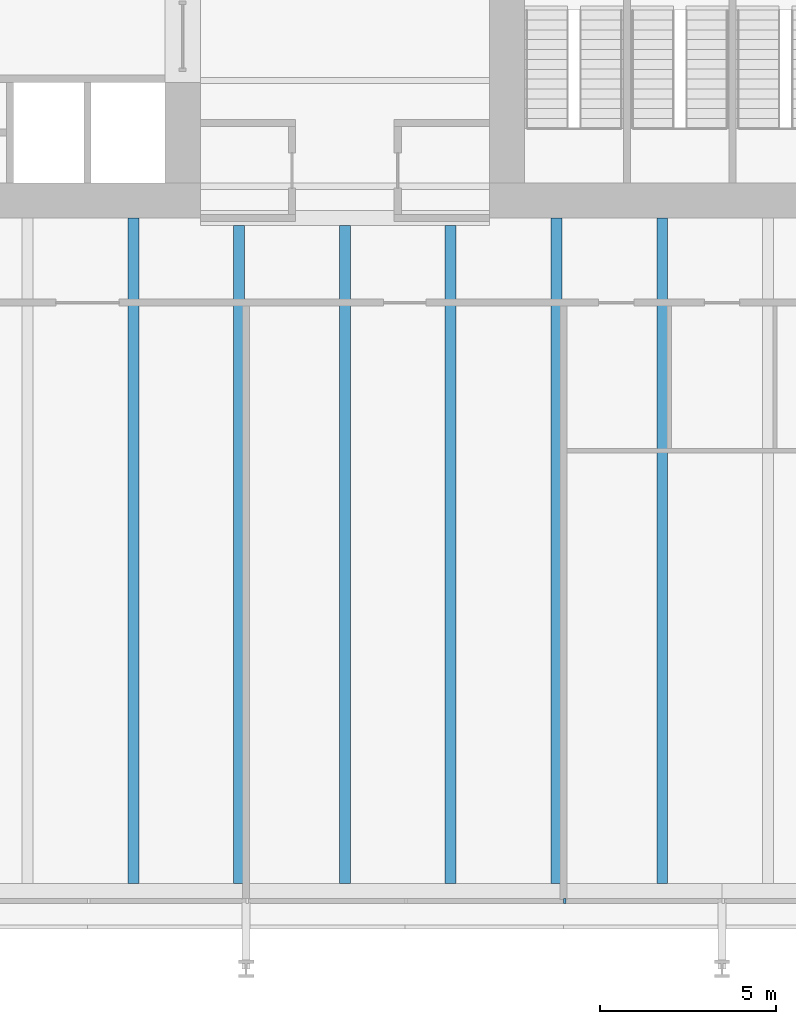
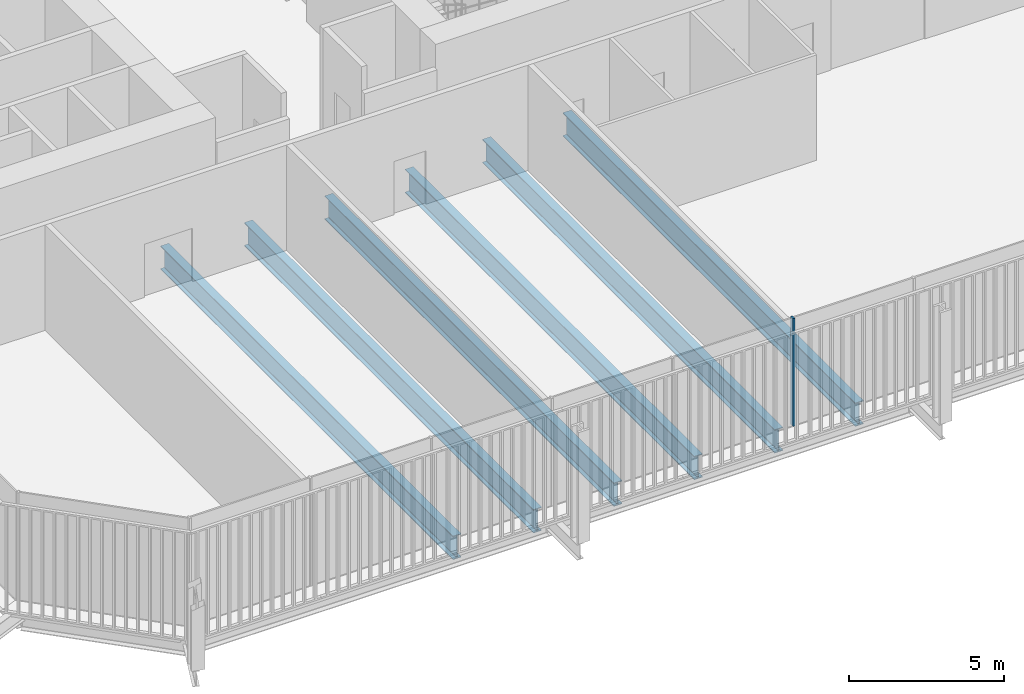
# One storey, part 4 of 20: 6 beams, 1 member, 1 element without a shape of its own.
"""IFC4 building model written with IfcOpenShell, lengths in metres."""

from ifc_helpers import new_model, si_unit, direction, frame, origin, origin_2d, place, context, subcontext, project, spatial, rectangle, i_section, extrude, material, layer, layer_set, material_profile, profile_set, type_object, element, aggregate, save


model = new_model("IFC4")

# Units and contexts
model_context = context("Model", 3, precision=1e-05, world=origin(), true_north=direction((0.0, 1.0)))
body_context = subcontext(model_context, "Body", "Model", "MODEL_VIEW")
ifc_project = project(units=[si_unit("LENGTHUNIT", "METRE"), si_unit("AREAUNIT", "SQUARE_METRE"), si_unit("VOLUMEUNIT", "CUBIC_METRE"), si_unit("PLANEANGLEUNIT", "RADIAN"), si_unit("MASSUNIT", "GRAM", prefix="KILO")], contexts=[model_context])

# Site, building, storey
site_placement = place(None, origin())
site = spatial("IfcSite", under=ifc_project, at=site_placement, CompositionType="ELEMENT")
building_placement = place(site_placement, origin())
building = spatial("IfcBuilding", under=site, at=building_placement, Name="Millrace Tower", CompositionType="ELEMENT")
storey_placement = place(building_placement, frame((0.0, 0.0, 108.39990234375)))
storey = spatial("IfcBuildingStorey", under=building, at=storey_placement, Name="L24", CompositionType="ELEMENT", Elevation=108.39990234375)

# Curtain wall, member
ifc_material_1 = material(Name="Aluminium and glass", Category="aluminium")
ifc_layer = layer(ifc_material_1, 0.14990234375)
ifc_layer_set = layer_set([ifc_layer], Name="Aluminium and glass")
curtain_wall_type = type_object("IfcCurtainWallType", Name="CW-3 telecom floor curtain wall", PredefinedType="NOTDEFINED", material=ifc_layer_set)
curtain_wall_placement = place(storey_placement, origin())
curtain_wall = element("IfcCurtainWall", 1, at=curtain_wall_placement, inside=storey, type_object=curtain_wall_type, Name="Curtain wall B-F02 L24", PredefinedType="NOTDEFINED")
ifc_material_2 = material(Name="Aluminium", Category="aluminium")
ifc_material_profile_1 = material_profile(ifc_material_2, rectangle(XDim=0.06494140625, YDim=0.14990234375, at=origin_2d()))
ifc_profile_set_1 = profile_set([ifc_material_profile_1], Name="Aluminium")
member_type = type_object("IfcMemberType", Name="CW-3 telecom floor curtain wall mullion", PredefinedType="MULLION", material=ifc_profile_set_1)
member_placement = place(storey_placement, frame((6.232421875, -29.27490234375, 0.150146484375), z_axis=(0.0, 0.0, 1.0), x_axis=(1.0, 0.0, 0.0)))
member = element("IfcMember", 2, at=member_placement, type_object=member_type, Name="CW3 mullion B-F02.6", PredefinedType="MULLION", context=body_context, shape_type="SweptSolid", body=[
    extrude(rectangle(XDim=0.06494140625, YDim=0.14990234375, at=origin_2d()), origin(), (0.0, 0.0, 1.0), 4.25),
])
aggregate(curtain_wall, [member])

# Beams
ifc_material_3 = material(Name="Steel ASTM A992 Grade 50", Category="steel")
ifc_material_profile_2 = material_profile(ifc_material_3, i_section(OverallWidth=0.307373046875, OverallDepth=0.927001953125, WebThickness=0.01953125, FlangeThickness=0.031982421875, FilletRadius=0.01904296875, at=origin_2d()))
ifc_profile_set_2 = profile_set([ifc_material_profile_2], Name="Steel ASTM A992 Grade 50")
beam_type = type_object("IfcBeamType", Name="Floor beam W36x194", PredefinedType="JOIST", material=ifc_profile_set_2)
beam_placement = place(storey_placement, frame((-6.0, -28.781005859375, -0.66357421875), z_axis=(0.0, 1.0, 0.0), x_axis=(-1.0, 0.0, 0.0)))
element("IfcBeam", 3, at=beam_placement, inside=storey, type_object=beam_type, Name="BM-B-L24-S1-S045", PredefinedType="JOIST", context=body_context, shape_type="SweptSolid", body=[
    extrude(i_section(OverallWidth=0.307373046875, OverallDepth=0.927001953125, WebThickness=0.01953125, FlangeThickness=0.031982421875, FilletRadius=0.01904296875, at=origin_2d()), origin(), (0.0, 0.0, 1.0), 18.881103515625),
])
for number, where, z_axis, x_axis, name in (
    (4, (-3.0, -28.781005859375, -0.66357421875), (0.0, 1.0, 0.0), (-1.0, 0.0, 0.0), "BM-B-L24-S1-S047"),
    (5, (0.0, -28.781005859375, -0.66357421875), (0.0, 1.0, 0.0), (-1.0, 0.0, 0.0), "BM-B-L24-S1-S049"),
    (6, (3.0, -28.781005859375, -0.66357421875), (0.0, 1.0, 0.0), (-1.0, 0.0, 0.0), "BM-B-L24-S1-S051"),
):
    element("IfcBeam", number, at=place(storey_placement, frame(where, z_axis=z_axis, x_axis=x_axis)), inside=storey, type_object=beam_type, Name=name, PredefinedType="JOIST", context=body_context, shape_type="SweptSolid", body=[
        extrude(i_section(OverallWidth=0.307373046875, OverallDepth=0.927001953125, WebThickness=0.01953125, FlangeThickness=0.031982421875, FilletRadius=0.01904296875, at=origin_2d()), origin(), (0.0, 0.0, 1.0), 18.670166015625),
    ])
for number, where, z_axis, x_axis, name in (
    (7, (6.0, -28.781005859375, -0.66357421875), (0.0, 1.0, 0.0), (-1.0, 0.0, 0.0), "BM-B-L24-S1-S053"),
    (8, (9.0, -28.781005859375, -0.66357421875), (0.0, 1.0, 0.0), (-1.0, 0.0, 0.0), "BM-B-L24-S1-S055"),
):
    element("IfcBeam", number, at=place(storey_placement, frame(where, z_axis=z_axis, x_axis=x_axis)), inside=storey, type_object=beam_type, Name=name, PredefinedType="JOIST", context=body_context, shape_type="SweptSolid", body=[
        extrude(i_section(OverallWidth=0.307373046875, OverallDepth=0.927001953125, WebThickness=0.01953125, FlangeThickness=0.031982421875, FilletRadius=0.01904296875, at=origin_2d()), origin(), (0.0, 0.0, 1.0), 18.881103515625),
    ])

save(model, "model.ifc")
